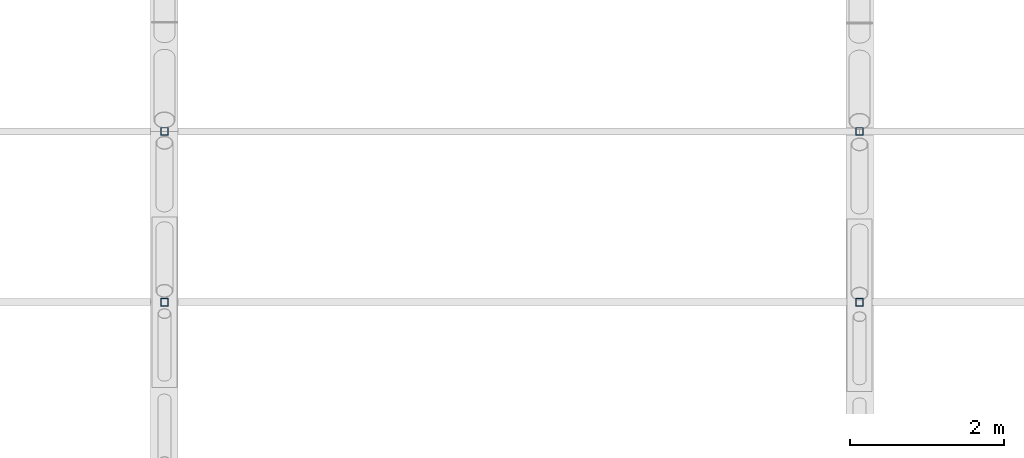
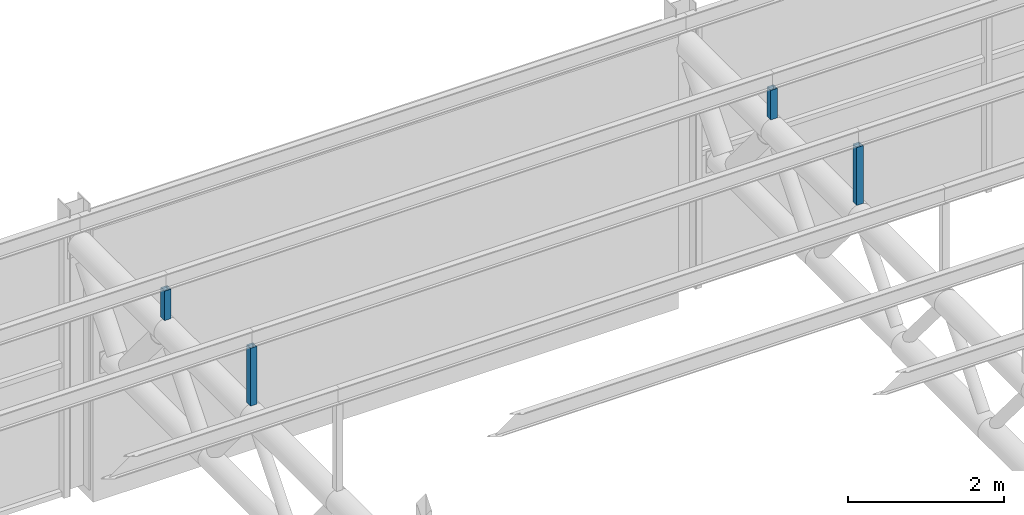
# One storey, part 90 of 138: 4 members.
"""IFC4 building model written with IfcOpenShell, lengths in metres."""

import ifcopenshell
import ifcopenshell.guid

model = None  # the IFC model being written
_history = None  # IfcOwnerHistory: only IFC2X3 demands one
_inside = {}  # id of a spatial element -> (the spatial element, [elements in it])
_under = {}  # id of a project, library or spatial element -> (it, [spatial elements below it])
_declared = {}  # id of a project -> (the project, [libraries it declares])
_typed = {}  # id of a type object -> (the type object, [elements of that type])
_made_of = {}  # id of a material, layer set ... -> (it, [elements and type objects made of it])


def new_model(schema):
    """Start an empty IFC model of exactly this schema.

    Asked for "IFC4X3", IfcOpenShell would pick the latest addendum, in which some entities
    have other attributes; the version numbers below select the first issue.
    IFC2X3 requires an IfcOwnerHistory on every rooted entity: one is made here for all.
    """
    global model, _history
    if schema == "IFC4X3":
        model = ifcopenshell.file(schema_version=(4, 3, 0, 0))
    else:
        model = ifcopenshell.file(schema=schema)
    _inside.clear()
    _under.clear()
    _declared.clear()
    _typed.clear()
    _made_of.clear()
    _history = None
    if model.schema == "IFC2X3":
        org = make("IfcOrganization", Name="unknown")
        user = make(
            "IfcPersonAndOrganization",
            ThePerson=make("IfcPerson", FamilyName="unknown"),
            TheOrganization=org,
        )
        app = make(
            "IfcApplication",
            ApplicationDeveloper=org,
            Version="unknown",
            ApplicationFullName="unknown",
            ApplicationIdentifier="unknown",
        )
        _history = make(
            "IfcOwnerHistory",
            OwningUser=user,
            OwningApplication=app,
            ChangeAction="ADDED",
            CreationDate=0,
        )
    return model


def make(cls, **values):
    """One entity of the class cls with the attributes given. An attribute that is None is left unset."""
    return model.create_entity(
        cls, **{name: value for name, value in values.items() if value is not None}
    )


def rooted(cls, **values):
    """An entity with a GlobalId (a new one), such as an element, a storey or a relation."""
    return make(cls, GlobalId=ifcopenshell.guid.new(), OwnerHistory=_history, **values)


def si_unit(unit_type, name, prefix=None):
    """IfcSIUnit, for example si_unit("LENGTHUNIT", "METRE", prefix="MILLI")."""
    return make("IfcSIUnit", UnitType=unit_type, Prefix=prefix, Name=name)


def assignment(units):
    """IfcUnitAssignment: the units of a project."""
    return None if units is None else make("IfcUnitAssignment", Units=units)


def point(xyz):
    """IfcCartesianPoint."""
    return None if xyz is None else make("IfcCartesianPoint", Coordinates=xyz)


def direction(xyz):
    """IfcDirection."""
    return None if xyz is None else make("IfcDirection", DirectionRatios=xyz)


def frame(location, z_axis=None, x_axis=None):
    """IfcAxis2Placement3D, a coordinate frame: its origin and axes. An axis left out is left unset."""
    return make(
        "IfcAxis2Placement3D",
        Location=point(location),
        Axis=direction(z_axis),
        RefDirection=direction(x_axis),
    )


def frame_2d(location, x_axis=None):
    """IfcAxis2Placement2D, a coordinate frame in the plane: its origin and x axis."""
    return make(
        "IfcAxis2Placement2D", Location=point(location), RefDirection=direction(x_axis)
    )


def origin():
    """The frame at (0, 0, 0) with its axes left unset."""
    return frame((0.0, 0.0, 0.0))


def origin_2d():
    """The frame at (0, 0) in the plane with its x axis left unset."""
    return frame_2d((0.0, 0.0))


def place(relative_to, where):
    """IfcLocalPlacement: puts the frame where relative to a parent placement (None: the world)."""
    return make(
        "IfcLocalPlacement", PlacementRelTo=relative_to, RelativePlacement=where
    )


def context(
    kind, dimensions, precision=None, world=None, true_north=None, identifier=None
):
    """IfcGeometricRepresentationContext, for example the 3D "Model" context."""
    return make(
        "IfcGeometricRepresentationContext",
        ContextIdentifier=identifier,
        ContextType=kind,
        CoordinateSpaceDimension=dimensions,
        Precision=precision,
        WorldCoordinateSystem=world,
        TrueNorth=true_north,
    )


def subcontext(parent, identifier, kind, view, scale=None):
    """IfcGeometricRepresentationSubContext, for example "Body" below "Model"."""
    return make(
        "IfcGeometricRepresentationSubContext",
        ContextIdentifier=identifier,
        ContextType=kind,
        ParentContext=parent,
        TargetScale=scale,
        TargetView=view,
    )


def project(units=None, contexts=None):
    """IfcProject with its units and contexts."""
    return rooted(
        "IfcProject",
        Name="project",
        RepresentationContexts=contexts,
        UnitsInContext=assignment(units),
    )


def spatial(cls, under=None, at=None, **own):
    """A site, building, storey or space (cls), placed at a placement, below another one or the project."""
    s = rooted(cls, ObjectPlacement=at, **own)
    if under is not None:
        _under.setdefault(under.id(), (under, []))[1].append(s)
    return s


def profile(cls, at=None, kind="AREA", **sizes):
    """A parametric profile (cls). Its sizes go by their IFC names, for example OverallWidth=200.0."""
    return make(cls, ProfileType=kind, Position=at, **sizes)


def hollow_rectangle(**sizes):
    """IfcRectangleHollowProfileDef."""
    return profile("IfcRectangleHollowProfileDef", **sizes)


def extrude(swept, where, along, depth):
    """IfcExtrudedAreaSolid: the profile swept, set in the frame where, extruded along a direction by depth."""
    return make(
        "IfcExtrudedAreaSolid",
        SweptArea=swept,
        Position=where,
        ExtrudedDirection=direction(along),
        Depth=depth,
    )


def shape(context_of_items, identifier, shape_type, items):
    """IfcShapeRepresentation: the items that make up one representation, for example the "Body"."""
    return make(
        "IfcShapeRepresentation",
        ContextOfItems=context_of_items,
        RepresentationIdentifier=identifier,
        RepresentationType=shape_type,
        Items=items,
    )


def material(Name=None, Category=None):
    """IfcMaterial."""
    return make("IfcMaterial", Name=Name, Category=Category)


def material_profile(
    of_material, cross_section, Name=None, Category=None, Priority=None
):
    """IfcMaterialProfile: a cross section and its material."""
    return make(
        "IfcMaterialProfile",
        Name=Name,
        Material=of_material,
        Profile=cross_section,
        Priority=Priority,
        Category=Category,
    )


def profile_set(profiles, Name=None, composite=None):
    """IfcMaterialProfileSet."""
    return make(
        "IfcMaterialProfileSet",
        Name=Name,
        MaterialProfiles=profiles,
        CompositeProfile=composite,
    )


def made_of(thing, what):
    """Note that an element or type object is made of a material, layer set ...; save() writes the relation."""
    if what is not None:
        _made_of.setdefault(what.id(), (what, []))[1].append(thing)
    return thing


def type_object(cls, material=None, **own):
    """A type object (cls), such as IfcWallType, which elements share."""
    return made_of(rooted(cls, **own), material)


def element(
    cls,
    number,
    at=None,
    inside=None,
    cuts=None,
    type_object=None,
    material=None,
    context=None,
    identifier="Body",
    shape_type=None,
    held_by="IfcProductDefinitionShape",
    body=None,
    shapes=None,
    **own,
):
    """One element of the class cls, such as IfcWall. Its Tag is "e" and its number.

    at: its placement. inside: the storey or other place that contains it. cuts: it is an
    opening in that element (IfcRelVoidsElement). A single representation is given by context,
    identifier, shape_type and body (its items); several are given by shapes. held_by: the class
    of the entity that holds the representations. save() writes the other relations.
    """
    e = rooted(cls, Tag="e%d" % number, ObjectPlacement=at, **own)
    if body is not None:
        shapes = [shape(context, identifier, shape_type, body)]
    if shapes is not None:
        e.Representation = make(held_by, Representations=shapes)
    if inside is not None:
        _inside.setdefault(inside.id(), (inside, []))[1].append(e)
    if cuts is not None:
        rooted(
            "IfcRelVoidsElement", RelatingBuildingElement=cuts, RelatedOpeningElement=e
        )
    if type_object is not None:
        _typed.setdefault(type_object.id(), (type_object, []))[1].append(e)
    return made_of(e, material)


def aggregate(whole, parts):
    """IfcRelAggregates: a whole, such as a stair, and the parts it consists of."""
    return rooted("IfcRelAggregates", RelatingObject=whole, RelatedObjects=parts)


def save(model, path):
    """Write the relations noted so far, then the file.

    IfcRelAggregates (storeys below a building ...), IfcRelContainedInSpatialStructure (elements
    in a storey), IfcRelDefinesByType, IfcRelAssociatesMaterial and IfcRelDeclares: one each for
    every whole, place, type object, material and project.
    """
    for whole, parts in _under.values():
        aggregate(whole, parts)
    for where, things in _inside.values():
        rooted(
            "IfcRelContainedInSpatialStructure",
            RelatedElements=things,
            RelatingStructure=where,
        )
    for kind, things in _typed.values():
        rooted("IfcRelDefinesByType", RelatedObjects=things, RelatingType=kind)
    for what, things in _made_of.values():
        rooted("IfcRelAssociatesMaterial", RelatedObjects=things, RelatingMaterial=what)
    for by, libraries in _declared.values():
        rooted("IfcRelDeclares", RelatingContext=by, RelatedDefinitions=libraries)
    model.write(path)


model = new_model("IFC4")

# Units and contexts
model_context = context("Model", 3, precision=1e-05, world=origin(), true_north=direction((0.0, 1.0)))
body_context = subcontext(model_context, "Body", "Model", "MODEL_VIEW")
ifc_project = project(units=[si_unit("LENGTHUNIT", "METRE"), si_unit("AREAUNIT", "SQUARE_METRE"), si_unit("VOLUMEUNIT", "CUBIC_METRE"), si_unit("PLANEANGLEUNIT", "RADIAN"), si_unit("MASSUNIT", "GRAM", prefix="KILO")], contexts=[model_context])

# Site, building, storey
site_placement = place(None, origin())
site = spatial("IfcSite", under=ifc_project, at=site_placement, CompositionType="ELEMENT")
building_placement = place(site_placement, origin())
building = spatial("IfcBuilding", under=site, at=building_placement, Name="Corbel Yard City Hall", CompositionType="ELEMENT")
storey_placement = place(building_placement, frame((0.0, 0.0, 10.5)))
storey = spatial("IfcBuildingStorey", under=building, at=storey_placement, Name="L02", CompositionType="ELEMENT", Elevation=10.5)

# Members
ifc_material = material(Name="Steel Grade C450L0", Category="steel")
ifc_material_profile = material_profile(ifc_material, hollow_rectangle(XDim=0.10009765625, YDim=0.10009765625, WallThickness=0.006103515625, at=origin_2d()), Name="100x100x6.0SHS")
ifc_profile_set = profile_set([ifc_material_profile], Name="Steel Grade C450L0")
member_type = type_object("IfcMemberType", Name="Roof post 100x100x6.0SHS", PredefinedType="POST", material=ifc_profile_set)
member_1_placement = place(storey_placement, frame((36.0, 22.423828125, 4.10009765625), z_axis=(0.0, 0.0, 1.0), x_axis=(1.0, 0.0, 0.0)))
element("IfcMember", 1, at=member_1_placement, inside=storey, type_object=member_type, Name="Roof post 100x100x6.0SHS RP3", PredefinedType="POST", context=body_context, shape_type="SweptSolid", body=[
    extrude(hollow_rectangle(XDim=0.10009765625, YDim=0.10009765625, WallThickness=0.006103515625, at=origin_2d()), origin(), (0.0, 0.0, 1.0), 0.90625),
])
member_2_placement = place(storey_placement, frame((36.0, 24.6357421875, 4.10009765625), z_axis=(0.0, 0.0, 1.0), x_axis=(1.0, 0.0, 0.0)))
element("IfcMember", 2, at=member_2_placement, inside=storey, type_object=member_type, Name="Roof post 100x100x6.0SHS RP3", PredefinedType="POST", context=body_context, shape_type="SweptSolid", body=[
    extrude(hollow_rectangle(XDim=0.10009765625, YDim=0.10009765625, WallThickness=0.006103515625, at=origin_2d()), origin(), (0.0, 0.0, 1.0), 0.4638671875),
])
member_3_placement = place(storey_placement, frame((45.0, 22.423828125, 4.10009765625), z_axis=(0.0, 0.0, 1.0), x_axis=(1.0, 0.0, 0.0)))
element("IfcMember", 3, at=member_3_placement, inside=storey, type_object=member_type, Name="Roof post 100x100x6.0SHS RP3", PredefinedType="POST", context=body_context, shape_type="SweptSolid", body=[
    extrude(hollow_rectangle(XDim=0.10009765625, YDim=0.10009765625, WallThickness=0.006103515625, at=origin_2d()), origin(), (0.0, 0.0, 1.0), 0.90625),
])
member_4_placement = place(storey_placement, frame((45.0, 24.6357421875, 4.10009765625), z_axis=(0.0, 0.0, 1.0), x_axis=(1.0, 0.0, 0.0)))
element("IfcMember", 4, at=member_4_placement, inside=storey, type_object=member_type, Name="Roof post 100x100x6.0SHS RP3", PredefinedType="POST", context=body_context, shape_type="SweptSolid", body=[
    extrude(hollow_rectangle(XDim=0.10009765625, YDim=0.10009765625, WallThickness=0.006103515625, at=origin_2d()), origin(), (0.0, 0.0, 1.0), 0.4638671875),
])

save(model, "model.ifc")
